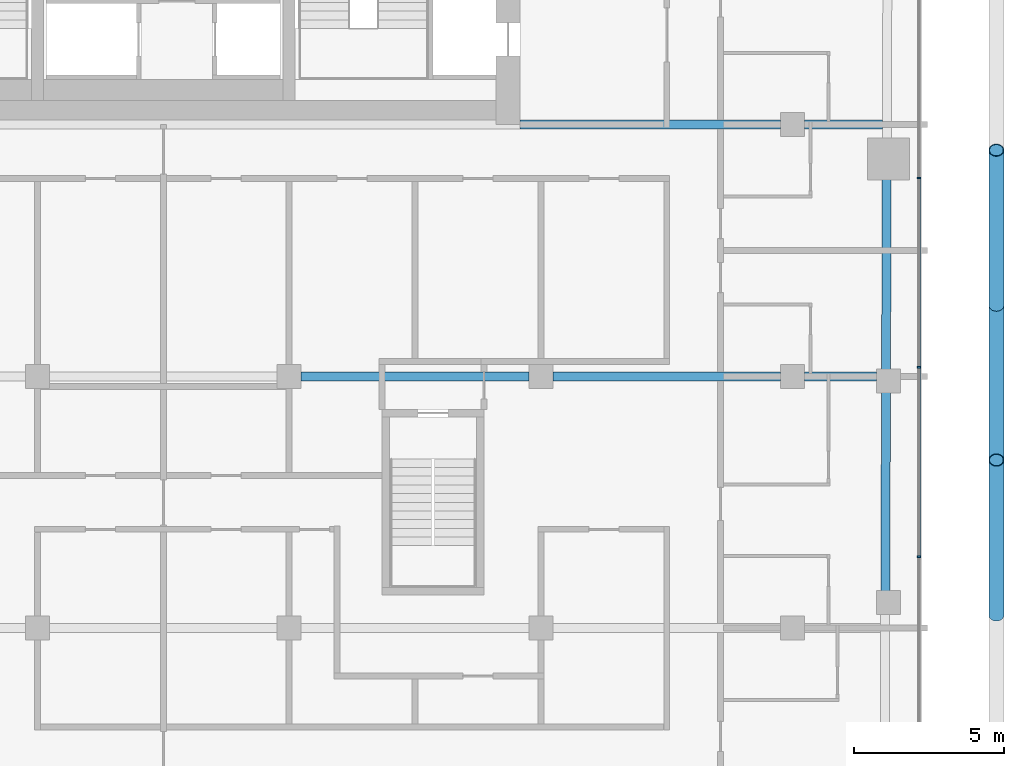
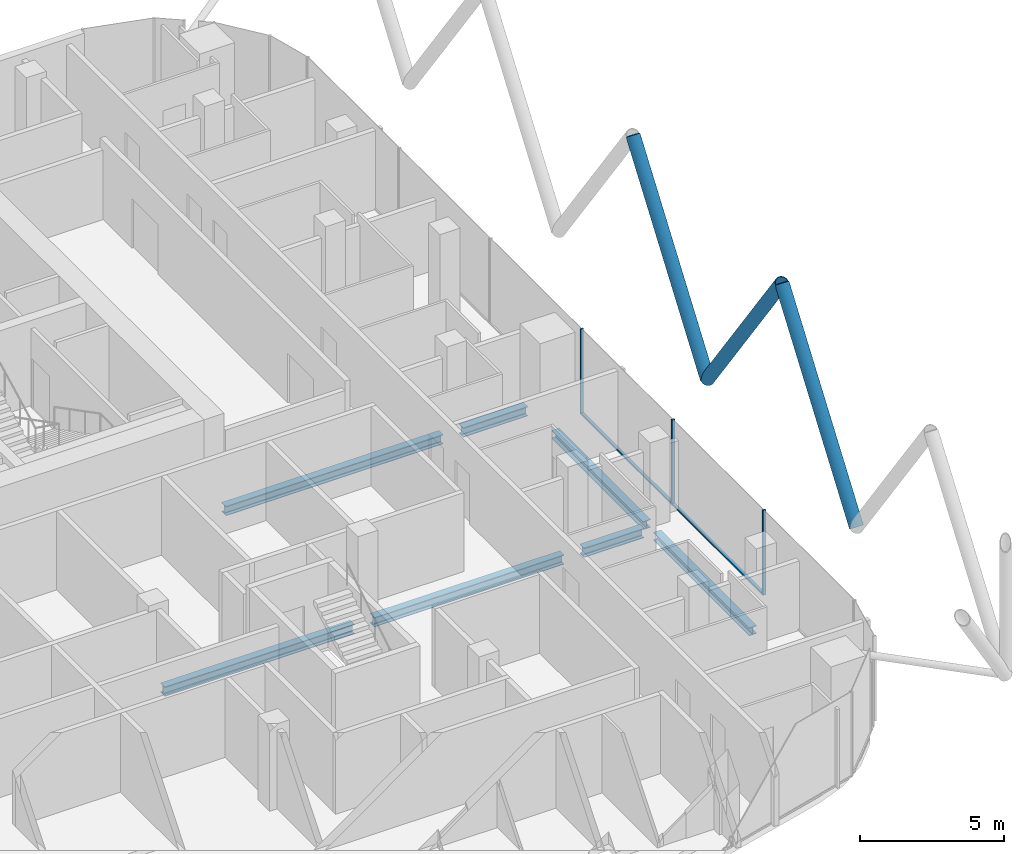
# One storey, part 7 of 28: 8 members, 7 beams, 1 element without a shape of its own.
"""IFC4 building model written with IfcOpenShell, lengths in metres."""

from ifc_helpers import new_model, si_unit, direction, frame, origin, origin_2d, place, context, subcontext, project, spatial, rectangle, hollow_circle, i_section, extrude, material, layer, layer_set, material_profile, profile_set, type_object, element, aggregate, save


model = new_model("IFC4")

# Units and contexts
model_context = context("Model", 3, precision=1e-05, world=origin(), true_north=direction((0.0, 1.0)))
body_context = subcontext(model_context, "Body", "Model", "MODEL_VIEW")
ifc_project = project(units=[si_unit("LENGTHUNIT", "METRE"), si_unit("AREAUNIT", "SQUARE_METRE"), si_unit("VOLUMEUNIT", "CUBIC_METRE"), si_unit("PLANEANGLEUNIT", "RADIAN"), si_unit("MASSUNIT", "GRAM", prefix="KILO")], contexts=[model_context])

# Site, building, storey
site_placement = place(None, origin())
site = spatial("IfcSite", under=ifc_project, at=site_placement, CompositionType="ELEMENT")
building_placement = place(site_placement, origin())
building = spatial("IfcBuilding", under=site, at=building_placement, Name="Marenta Gate Hotel Tower", CompositionType="ELEMENT")
storey_placement = place(building_placement, frame((0.0, 0.0, 212.89990234375)))
storey = spatial("IfcBuildingStorey", under=building, at=storey_placement, Name="L49", CompositionType="ELEMENT", Elevation=212.89990234375)

# Members
ifc_material_1 = material(Name="Steel S355J2W", Category="steel")
ifc_material_profile_1 = material_profile(ifc_material_1, hollow_circle(Radius=0.25390625, WallThickness=0.02490234375, at=origin_2d()), Name="CHS 508x25")
ifc_profile_set_1 = profile_set([ifc_material_profile_1], Name="Steel S355J2W")
member_type_1 = type_object("IfcMemberType", Name="Diagrid diagonal Z3 CHS 508x25", PredefinedType="BRACE", material=ifc_profile_set_1)
member_1_placement = place(storey_placement, frame((27.800048828125, -6.02001953125, 3.14013671875), z_axis=(0.0, 0.583260841117, 0.812284919975), x_axis=(-1.0, 0.0, 0.0)))
element("IfcMember", 1, at=member_1_placement, inside=storey, type_object=member_type_1, Name="L49-DG-6", PredefinedType="BRACE", context=body_context, shape_type="SweptSolid", body=[
    extrude(hollow_circle(Radius=0.25390625, WallThickness=0.02490234375, at=origin_2d()), origin(), (0.0, 0.0, 1.0), 8.86376953125),
])
member_2_placement = place(storey_placement, frame((27.800048828125, -6.02001953125, 3.14013671875), z_axis=(0.0, -0.583279014058, 0.812271870595), x_axis=(1.0, 0.0, 0.0)))
element("IfcMember", 2, at=member_2_placement, inside=storey, type_object=member_type_1, Name="L49-DG-7", PredefinedType="BRACE", context=body_context, shape_type="SweptSolid", body=[
    extrude(hollow_circle(Radius=0.25390625, WallThickness=0.02490234375, at=origin_2d()), origin(), (0.0, 0.0, 1.0), 8.864013671875),
])
member_3_placement = place(storey_placement, frame((27.800048828125, -16.360107421875, 3.14013671875), z_axis=(0.0, 0.583260841117, 0.812284919975), x_axis=(-1.0, 0.0, 0.0)))
element("IfcMember", 3, at=member_3_placement, inside=storey, type_object=member_type_1, Name="L49-DG-8", PredefinedType="BRACE", context=body_context, shape_type="SweptSolid", body=[
    extrude(hollow_circle(Radius=0.25390625, WallThickness=0.02490234375, at=origin_2d()), origin(), (0.0, 0.0, 1.0), 8.86376953125),
])

# Beams
ifc_material_2 = material(Name="Steel S355", Category="steel")
ifc_material_profile_2 = material_profile(ifc_material_2, i_section(OverallWidth=0.300048828125, OverallDepth=0.340087890625, WebThickness=0.011962890625, FlangeThickness=0.021484375, FilletRadius=0.027099609375, at=origin_2d()), Name="HEB 340")
ifc_profile_set_2 = profile_set([ifc_material_profile_2], Name="Steel S355")
beam_type_1 = type_object("IfcBeamType", Name="Edge beam HEB 340", PredefinedType="SPANDREL", material=ifc_profile_set_2)
beam_1_placement = place(storey_placement, frame((24.1396484375, -1.81005859375, -0.429931640625), z_axis=(-0.003328723523, -0.999994459785, 0.0), x_axis=(0.999994459785, -0.003328723523, 0.0)))
element("IfcBeam", 4, at=beam_1_placement, inside=storey, type_object=beam_type_1, Name="L49-EB-25", PredefinedType="SPANDREL", context=body_context, shape_type="SweptSolid", body=[
    extrude(i_section(OverallWidth=0.300048828125, OverallDepth=0.340087890625, WebThickness=0.011962890625, FlangeThickness=0.021484375, FilletRadius=0.027099609375, at=origin_2d()), origin(), (0.0, 0.0, 1.0), 6.380859375),
])
beam_2_placement = place(storey_placement, frame((24.115966796875, -8.910888671875, -0.429931640625), z_axis=(-0.00332539729, -0.999994470851, 0.0), x_axis=(0.999994470851, -0.00332539729, 0.0)))
element("IfcBeam", 5, at=beam_2_placement, inside=storey, type_object=beam_type_1, Name="L49-EB-26", PredefinedType="SPANDREL", context=body_context, shape_type="SweptSolid", body=[
    extrude(i_section(OverallWidth=0.300048828125, OverallDepth=0.340087890625, WebThickness=0.011962890625, FlangeThickness=0.021484375, FilletRadius=0.027099609375, at=origin_2d()), origin(), (0.0, 0.0, 1.0), 6.680908203125),
])
ifc_material_3 = material(Name="Steel S355", Category="steel")
ifc_material_profile_3 = material_profile(ifc_material_3, i_section(OverallWidth=0.300048828125, OverallDepth=0.39990234375, WebThickness=0.013427734375, FlangeThickness=0.02392578125, FilletRadius=0.027099609375, at=origin_2d()), Name="HEB 400")
ifc_profile_set_3 = profile_set([ifc_material_profile_3], Name="Steel S355")
beam_type_2 = type_object("IfcBeamType", Name="Girder HEB 400", PredefinedType="BEAM", material=ifc_profile_set_3)
beam_3_placement = place(storey_placement, frame((4.60009765625, -8.39990234375, -0.4599609375), z_axis=(1.0, 0.0, 0.0), x_axis=(0.0, 1.0, 0.0)))
element("IfcBeam", 6, at=beam_3_placement, inside=storey, type_object=beam_type_2, Name="L49-GD-17", PredefinedType="BEAM", context=body_context, shape_type="SweptSolid", body=[
    extrude(i_section(OverallWidth=0.300048828125, OverallDepth=0.39990234375, WebThickness=0.013427734375, FlangeThickness=0.02392578125, FilletRadius=0.027099609375, at=origin_2d()), origin(), (0.0, 0.0, 1.0), 7.599853515625),
])
beam_4_placement = place(storey_placement, frame((13.0, -8.39990234375, -0.4599609375), z_axis=(1.0, 0.0, 0.0), x_axis=(0.0, 1.0, 0.0)))
element("IfcBeam", 7, at=beam_4_placement, inside=storey, type_object=beam_type_2, Name="L49-GD-18", PredefinedType="BEAM", context=body_context, shape_type="SweptSolid", body=[
    extrude(i_section(OverallWidth=0.300048828125, OverallDepth=0.39990234375, WebThickness=0.013427734375, FlangeThickness=0.02392578125, FilletRadius=0.027099609375, at=origin_2d()), origin(), (0.0, 0.0, 1.0), 7.60009765625),
])
beam_5_placement = place(storey_placement, frame((21.39990234375, -8.39990234375, -0.4599609375), z_axis=(1.0, 0.0, 0.0), x_axis=(0.0, 1.0, 0.0)))
element("IfcBeam", 8, at=beam_5_placement, inside=storey, type_object=beam_type_2, Name="L49-GD-19", PredefinedType="BEAM", context=body_context, shape_type="SweptSolid", body=[
    extrude(i_section(OverallWidth=0.300048828125, OverallDepth=0.39990234375, WebThickness=0.013427734375, FlangeThickness=0.02392578125, FilletRadius=0.027099609375, at=origin_2d()), origin(), (0.0, 0.0, 1.0), 2.400146484375),
])
beam_6_placement = place(storey_placement, frame((11.89990234375, 0.0, -0.4599609375), z_axis=(1.0, 0.0, 0.0), x_axis=(0.0, 1.0, 0.0)))
element("IfcBeam", 9, at=beam_6_placement, inside=storey, type_object=beam_type_2, Name="L49-GD-23", PredefinedType="BEAM", context=body_context, shape_type="SweptSolid", body=[
    extrude(i_section(OverallWidth=0.300048828125, OverallDepth=0.39990234375, WebThickness=0.013427734375, FlangeThickness=0.02392578125, FilletRadius=0.027099609375, at=origin_2d()), origin(), (0.0, 0.0, 1.0), 8.7001953125),
])
beam_7_placement = place(storey_placement, frame((21.39990234375, 0.0, -0.4599609375), z_axis=(1.0, 0.0, 0.0), x_axis=(0.0, 1.0, 0.0)))
element("IfcBeam", 10, at=beam_7_placement, inside=storey, type_object=beam_type_2, Name="L49-GD-24", PredefinedType="BEAM", context=body_context, shape_type="SweptSolid", body=[
    extrude(i_section(OverallWidth=0.300048828125, OverallDepth=0.39990234375, WebThickness=0.013427734375, FlangeThickness=0.02392578125, FilletRadius=0.027099609375, at=origin_2d()), origin(), (0.0, 0.0, 1.0), 2.595703125),
])

# Curtain wall, members
ifc_material_4 = material(Name="Tinted insulated glass in bronze anodised frame", Category="glass")
ifc_layer = layer(ifc_material_4, 0.1201171875)
ifc_layer_set = layer_set([ifc_layer], Name="Tinted insulated glass in bronze anodised frame")
curtain_wall_type = type_object("IfcCurtainWallType", Name="Tower unitised curtain wall CW1", PredefinedType="NOTDEFINED", material=ifc_layer_set)
curtain_wall_placement = place(storey_placement, origin())
curtain_wall = element("IfcCurtainWall", 11, at=curtain_wall_placement, inside=storey, type_object=curtain_wall_type, Name="CW1 run G19", PredefinedType="NOTDEFINED")
ifc_material_5 = material(Name="Bronze anodised aluminium", Category="aluminium")
ifc_material_profile_4 = material_profile(ifc_material_5, rectangle(XDim=0.1201171875, YDim=0.06005859375, at=origin_2d()), Name="Mullion CW1 60x120 bronze anodised aluminium")
ifc_profile_set_4 = profile_set([ifc_material_profile_4], Name="Bronze anodised aluminium")
member_type_2 = type_object("IfcMemberType", Name="Mullion CW1 60x120 bronze anodised aluminium", PredefinedType="MULLION", material=ifc_profile_set_4)
member_4_placement = place(storey_placement, frame((25.214111328125, -14.42138671875, 0.0), z_axis=(0.0, 0.0, 1.0), x_axis=(-1.0, 0.0, 0.0)))
member_4 = element("IfcMember", 12, at=member_4_placement, type_object=member_type_2, Name="CW1 mullion 2", PredefinedType="MULLION", context=body_context, shape_type="SweptSolid", body=[
    extrude(rectangle(XDim=0.1201171875, YDim=0.06005859375, at=origin_2d()), origin(), (0.0, 0.0, 1.0), 3.60009765625),
])
member_5_placement = place(storey_placement, frame((25.214111328125, -8.0986328125, 0.0), z_axis=(0.0, 0.0, 1.0), x_axis=(-1.0, 0.0, 0.0)))
member_5 = element("IfcMember", 13, at=member_5_placement, type_object=member_type_2, Name="CW1 mullion 3", PredefinedType="MULLION", context=body_context, shape_type="SweptSolid", body=[
    extrude(rectangle(XDim=0.1201171875, YDim=0.06005859375, at=origin_2d()), origin(), (0.0, 0.0, 1.0), 3.60009765625),
])
member_6_placement = place(storey_placement, frame((25.214111328125, -1.77587890625, 0.0), z_axis=(0.0, 0.0, 1.0), x_axis=(-1.0, 0.0, 0.0)))
member_6 = element("IfcMember", 14, at=member_6_placement, type_object=member_type_2, Name="CW1 mullion 4", PredefinedType="MULLION", context=body_context, shape_type="SweptSolid", body=[
    extrude(rectangle(XDim=0.1201171875, YDim=0.06005859375, at=origin_2d()), origin(), (0.0, 0.0, 1.0), 3.60009765625),
])
ifc_material_6 = material(Name="Bronze anodised aluminium", Category="aluminium")
ifc_material_profile_5 = material_profile(ifc_material_6, rectangle(XDim=0.1201171875, YDim=0.06005859375, at=origin_2d()), Name="Transom CW1 60x120 bronze anodised aluminium")
ifc_profile_set_5 = profile_set([ifc_material_profile_5], Name="Bronze anodised aluminium")
member_type_3 = type_object("IfcMemberType", Name="Transom CW1 60x120 bronze anodised aluminium", PredefinedType="USERDEFINED", material=ifc_profile_set_5)
member_7_placement = place(storey_placement, frame((25.214111328125, -14.391357421875, 0.030029296875), z_axis=(0.0, 1.0, 0.0), x_axis=(-1.0, 0.0, 0.0)))
member_7 = element("IfcMember", 15, at=member_7_placement, type_object=member_type_3, Name="CW1 transom 2.1", ObjectType="TRANSOM", PredefinedType="USERDEFINED", context=body_context, shape_type="SweptSolid", body=[
    extrude(rectangle(XDim=0.1201171875, YDim=0.06005859375, at=origin_2d()), origin(), (0.0, 0.0, 1.0), 6.2626953125),
])
member_8_placement = place(storey_placement, frame((25.214111328125, -8.068603515625, 0.030029296875), z_axis=(0.0, 1.0, 0.0), x_axis=(-1.0, 0.0, 0.0)))
member_8 = element("IfcMember", 16, at=member_8_placement, type_object=member_type_3, Name="CW1 transom 3.1", ObjectType="TRANSOM", PredefinedType="USERDEFINED", context=body_context, shape_type="SweptSolid", body=[
    extrude(rectangle(XDim=0.1201171875, YDim=0.06005859375, at=origin_2d()), origin(), (0.0, 0.0, 1.0), 6.2626953125),
])
aggregate(curtain_wall, [member_4, member_5, member_6, member_7, member_8])

save(model, "model.ifc")
